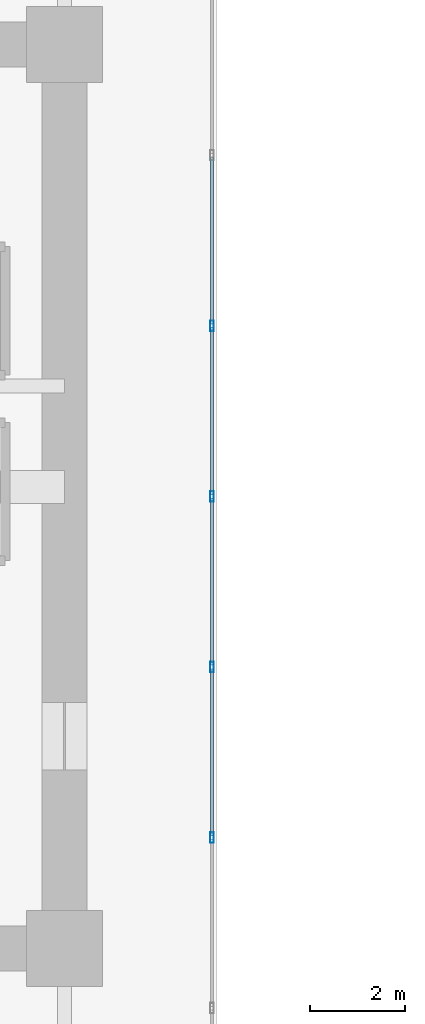
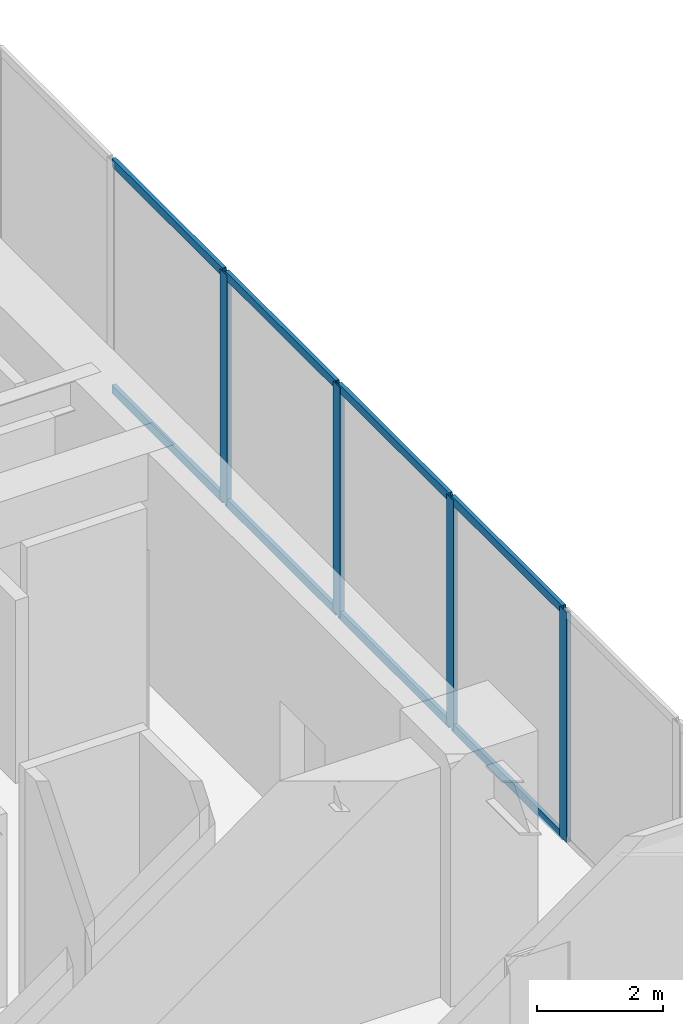
# One storey, part 7 of 33: 12 members, 1 element without a shape of its own.
"""IFC4 building model written with IfcOpenShell, lengths in metres."""

from ifc_helpers import new_model, si_unit, direction, frame, origin, origin_2d, place, context, subcontext, project, spatial, hollow_rectangle, extrude, source, transform, mapped, material, layer, layer_set, material_profile, profile_set, type_object, type_shapes, element, aggregate, save


model = new_model("IFC4")

# Units and contexts
model_context = context("Model", 3, precision=1e-05, world=origin(), true_north=direction((0.0, 1.0)))
body_context = subcontext(model_context, "Body", "Model", "MODEL_VIEW")
ifc_project = project(units=[si_unit("LENGTHUNIT", "METRE"), si_unit("AREAUNIT", "SQUARE_METRE"), si_unit("VOLUMEUNIT", "CUBIC_METRE"), si_unit("PLANEANGLEUNIT", "RADIAN"), si_unit("MASSUNIT", "GRAM", prefix="KILO")], contexts=[model_context])

# Site, building, storey
site_placement = place(None, origin())
site = spatial("IfcSite", under=ifc_project, at=site_placement, CompositionType="ELEMENT")
building_placement = place(site_placement, origin())
building = spatial("IfcBuilding", under=site, at=building_placement, Name="Haelvirn Gate Laboratories", CompositionType="ELEMENT")
storey_placement = place(building_placement, frame((0.0, 0.0, 10.199951171875)))
storey = spatial("IfcBuildingStorey", under=building, at=storey_placement, Name="L03", CompositionType="ELEMENT", Elevation=10.199951171875)

# Curtain wall, members
ifc_material_1 = material(Name="Anodised bronze unitised aluminium & triple low-E glass", Category="aluminium")
ifc_layer = layer(ifc_material_1, 0.18798828125, Name="CW-SYS-1")
ifc_layer_set = layer_set([ifc_layer], Name="Anodised bronze unitised aluminium & triple low-E glass")
curtain_wall_type = type_object("IfcCurtainWallType", Name="CW-SYS-1", PredefinedType="NOTDEFINED", material=ifc_layer_set)
curtain_wall_placement = place(storey_placement, origin())
curtain_wall = element("IfcCurtainWall", 1, at=curtain_wall_placement, inside=storey, type_object=curtain_wall_type, Name="L03 Unitised Curtain Wall CW-L03-P0-E01", PredefinedType="NOTDEFINED")
ifc_material_2 = material(Name="Extruded aluminium 6063-T6 (anodised bronze)", Category="aluminium")
ifc_material_profile_1 = material_profile(ifc_material_2, hollow_rectangle(XDim=0.070068359375, YDim=0.159912109375, WallThickness=0.0048828125, at=origin_2d()), Name="CWT-160x70x5")
ifc_profile_set_1 = profile_set([ifc_material_profile_1], Name="Extruded aluminium 6063-T6 (anodised bronze)")
member_type_1 = type_object("IfcMemberType", Name="CWT-T160", PredefinedType="USERDEFINED", material=ifc_profile_set_1)
shared_shape_1 = source(origin(), body_context, "Body", "SweptSolid", [
    extrude(hollow_rectangle(XDim=0.070068359375, YDim=0.159912109375, WallThickness=0.0048828125, at=origin_2d()), origin(), (0.0, 0.0, 1.0), 3.505859375),
])
member_1_placement = place(storey_placement, frame((25.300048828125, 17.16845703125, 0.03515625), z_axis=(0.0, 1.0, 0.0), x_axis=(-1.0, 0.0, 0.0)))
member_1 = element("IfcMember", 2, at=member_1_placement, type_object=member_type_1, Name="CW1 transom 6.1", ObjectType="TRANSOM", PredefinedType="USERDEFINED", context=body_context, shape_type="MappedRepresentation", body=[
    mapped(shared_shape_1, transform((0.0, 0.0, 0.0), scale=1.0)),
])
member_2_placement = place(storey_placement, frame((25.300048828125, 17.16845703125, 4.4150390625), z_axis=(0.0, 1.0, 0.0), x_axis=(-1.0, 0.0, 0.0)))
member_2 = element("IfcMember", 3, at=member_2_placement, type_object=member_type_1, Name="CW1 transom 6.2", ObjectType="TRANSOM", PredefinedType="USERDEFINED", context=body_context, shape_type="MappedRepresentation", body=[
    mapped(shared_shape_1, transform((0.0, 0.0, 0.0), scale=1.0)),
])
shared_shape_2 = source(origin(), body_context, "Body", "SweptSolid", [
    extrude(hollow_rectangle(XDim=0.070068359375, YDim=0.159912109375, WallThickness=0.0048828125, at=origin_2d()), origin(), (0.0, 0.0, 1.0), 3.505615234375),
])
type_shapes(member_type_1, [shared_shape_1, shared_shape_2])
member_3_placement = place(storey_placement, frame((25.300048828125, 20.75439453125, 0.03515625), z_axis=(0.0, 1.0, 0.0), x_axis=(-1.0, 0.0, 0.0)))
member_3 = element("IfcMember", 4, at=member_3_placement, type_object=member_type_1, Name="CW1 transom 7.1", ObjectType="TRANSOM", PredefinedType="USERDEFINED", context=body_context, shape_type="MappedRepresentation", body=[
    mapped(shared_shape_2, transform((0.0, 0.0, 0.0), scale=1.0)),
])
member_4_placement = place(storey_placement, frame((25.300048828125, 20.75439453125, 4.4150390625), z_axis=(0.0, 1.0, 0.0), x_axis=(-1.0, 0.0, 0.0)))
member_4 = element("IfcMember", 5, at=member_4_placement, type_object=member_type_1, Name="CW1 transom 7.2", ObjectType="TRANSOM", PredefinedType="USERDEFINED", context=body_context, shape_type="MappedRepresentation", body=[
    mapped(shared_shape_2, transform((0.0, 0.0, 0.0), scale=1.0)),
])
member_5_placement = place(storey_placement, frame((25.300048828125, 24.340087890625, 0.03515625), z_axis=(0.0, 1.0, 0.0), x_axis=(-1.0, 0.0, 0.0)))
member_5 = element("IfcMember", 6, at=member_5_placement, type_object=member_type_1, Name="CW1 transom 8.1", ObjectType="TRANSOM", PredefinedType="USERDEFINED", context=body_context, shape_type="MappedRepresentation", body=[
    mapped(shared_shape_2, transform((0.0, 0.0, 0.0), scale=1.0)),
])
member_6_placement = place(storey_placement, frame((25.300048828125, 24.340087890625, 4.4150390625), z_axis=(0.0, 1.0, 0.0), x_axis=(-1.0, 0.0, 0.0)))
member_6 = element("IfcMember", 7, at=member_6_placement, type_object=member_type_1, Name="CW1 transom 8.2", ObjectType="TRANSOM", PredefinedType="USERDEFINED", context=body_context, shape_type="MappedRepresentation", body=[
    mapped(shared_shape_2, transform((0.0, 0.0, 0.0), scale=1.0)),
])
member_7_placement = place(storey_placement, frame((25.300048828125, 27.92578125, 0.03515625), z_axis=(0.0, 1.0, 0.0), x_axis=(-1.0, 0.0, 0.0)))
member_7 = element("IfcMember", 8, at=member_7_placement, type_object=member_type_1, Name="CW1 transom 9.1", ObjectType="TRANSOM", PredefinedType="USERDEFINED", context=body_context, shape_type="MappedRepresentation", body=[
    mapped(shared_shape_2, transform((0.0, 0.0, 0.0), scale=1.0)),
])
member_8_placement = place(storey_placement, frame((25.300048828125, 27.92578125, 4.4150390625), z_axis=(0.0, 1.0, 0.0), x_axis=(-1.0, 0.0, 0.0)))
member_8 = element("IfcMember", 9, at=member_8_placement, type_object=member_type_1, Name="CW1 transom 9.2", ObjectType="TRANSOM", PredefinedType="USERDEFINED", context=body_context, shape_type="MappedRepresentation", body=[
    mapped(shared_shape_2, transform((0.0, 0.0, 0.0), scale=1.0)),
])
ifc_material_profile_2 = material_profile(ifc_material_2, hollow_rectangle(XDim=0.080078125, YDim=0.219970703125, WallThickness=0.006103515625, at=origin_2d()), Name="CWM-220x80x6")
ifc_profile_set_2 = profile_set([ifc_material_profile_2], Name="Extruded aluminium 6063-T6 (anodised bronze)")
member_type_2 = type_object("IfcMemberType", Name="CWM-T220", PredefinedType="MULLION", material=ifc_profile_set_2)
shared_shape_3 = source(origin(), body_context, "Body", "SweptSolid", [
    extrude(hollow_rectangle(XDim=0.080078125, YDim=0.219970703125, WallThickness=0.006103515625, at=origin_2d()), origin(), (0.0, 0.0, 1.0), 4.449951171875),
])
type_shapes(member_type_2, [shared_shape_3])
member_9_placement = place(storey_placement, frame((25.300048828125, 17.128662109375, 0.0), z_axis=(0.0, 0.0, 1.0), x_axis=(-1.0, 0.0, 0.0)))
member_9 = element("IfcMember", 10, at=member_9_placement, type_object=member_type_2, Name="CW1 mullion 6", PredefinedType="MULLION", context=body_context, shape_type="MappedRepresentation", body=[
    mapped(shared_shape_3, transform((0.0, 0.0, 0.0), scale=1.0)),
])
member_10_placement = place(storey_placement, frame((25.300048828125, 20.71435546875, 0.0), z_axis=(0.0, 0.0, 1.0), x_axis=(-1.0, 0.0, 0.0)))
member_10 = element("IfcMember", 11, at=member_10_placement, type_object=member_type_2, Name="CW1 mullion 7", PredefinedType="MULLION", context=body_context, shape_type="MappedRepresentation", body=[
    mapped(shared_shape_3, transform((0.0, 0.0, 0.0), scale=1.0)),
])
member_11_placement = place(storey_placement, frame((25.300048828125, 24.300048828125, 0.0), z_axis=(0.0, 0.0, 1.0), x_axis=(-1.0, 0.0, 0.0)))
member_11 = element("IfcMember", 12, at=member_11_placement, type_object=member_type_2, Name="CW1 mullion 8", PredefinedType="MULLION", context=body_context, shape_type="MappedRepresentation", body=[
    mapped(shared_shape_3, transform((0.0, 0.0, 0.0), scale=1.0)),
])
member_12_placement = place(storey_placement, frame((25.300048828125, 27.8857421875, 0.0), z_axis=(0.0, 0.0, 1.0), x_axis=(-1.0, 0.0, 0.0)))
member_12 = element("IfcMember", 13, at=member_12_placement, type_object=member_type_2, Name="CW1 mullion 9", PredefinedType="MULLION", context=body_context, shape_type="MappedRepresentation", body=[
    mapped(shared_shape_3, transform((0.0, 0.0, 0.0), scale=1.0)),
])
aggregate(curtain_wall, [member_9, member_10, member_11, member_12, member_1, member_2, member_3, member_4, member_5, member_6, member_7, member_8])

save(model, "model.ifc")
